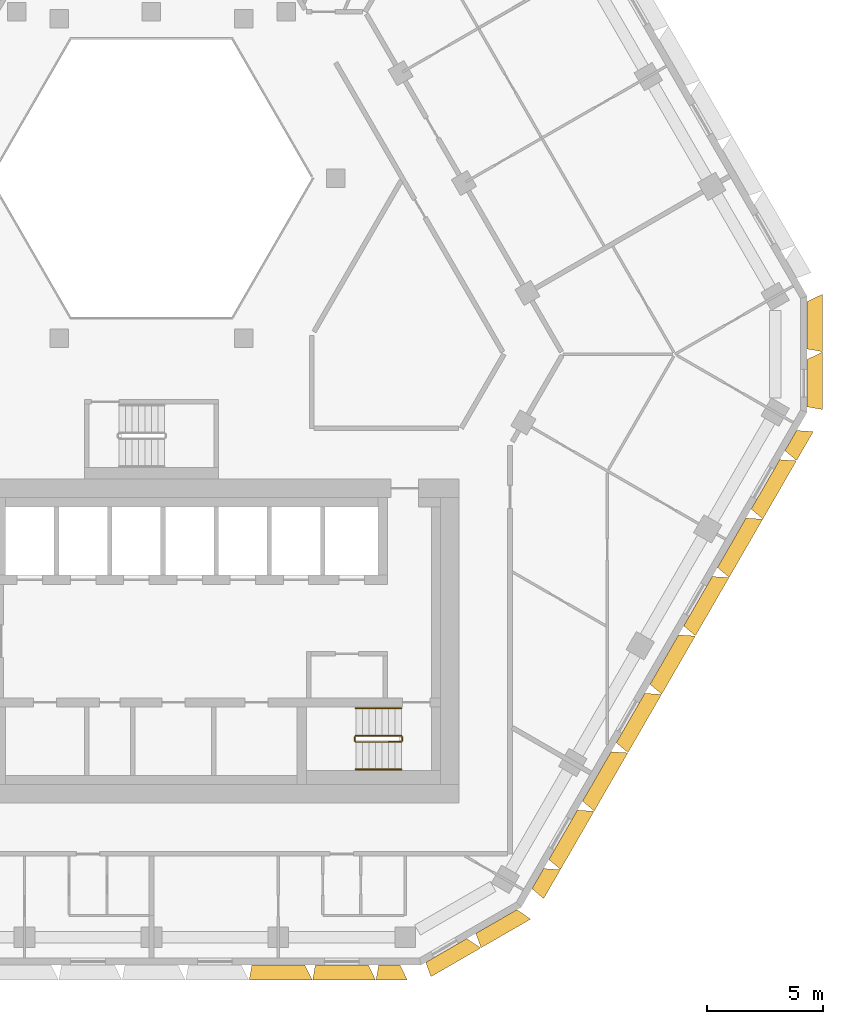
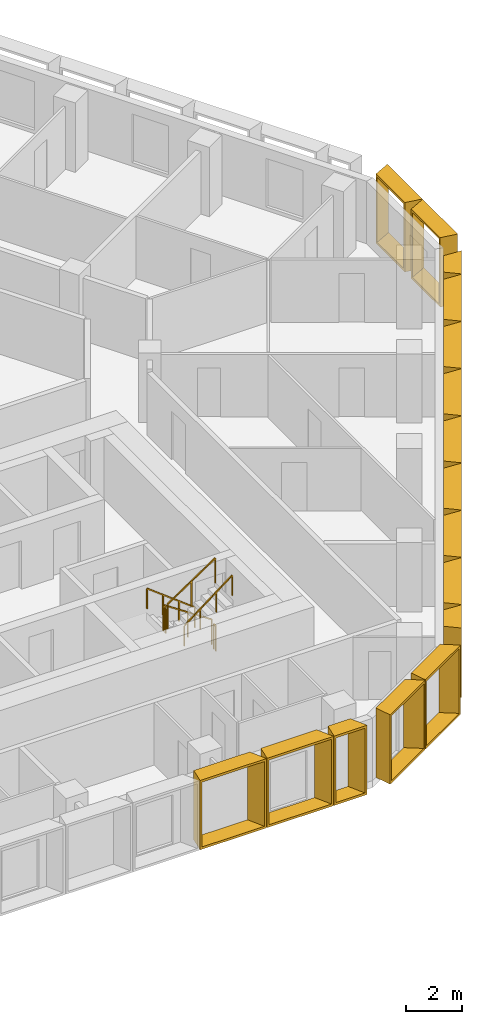
# One storey, part 14 of 15: 16 shading devices, 6 railings.
"""IFC4 building model written with IfcOpenShell, lengths in metres."""

import ifcopenshell
import ifcopenshell.guid

model = None  # the IFC model being written
_history = None  # IfcOwnerHistory: only IFC2X3 demands one
_inside = {}  # id of a spatial element -> (the spatial element, [elements in it])
_under = {}  # id of a project, library or spatial element -> (it, [spatial elements below it])
_declared = {}  # id of a project -> (the project, [libraries it declares])
_typed = {}  # id of a type object -> (the type object, [elements of that type])
_made_of = {}  # id of a material, layer set ... -> (it, [elements and type objects made of it])


def new_model(schema):
    """Start an empty IFC model of exactly this schema.

    Asked for "IFC4X3", IfcOpenShell would pick the latest addendum, in which some entities
    have other attributes; the version numbers below select the first issue.
    IFC2X3 requires an IfcOwnerHistory on every rooted entity: one is made here for all.
    """
    global model, _history
    if schema == "IFC4X3":
        model = ifcopenshell.file(schema_version=(4, 3, 0, 0))
    else:
        model = ifcopenshell.file(schema=schema)
    _inside.clear()
    _under.clear()
    _declared.clear()
    _typed.clear()
    _made_of.clear()
    _history = None
    if model.schema == "IFC2X3":
        org = make("IfcOrganization", Name="unknown")
        user = make(
            "IfcPersonAndOrganization",
            ThePerson=make("IfcPerson", FamilyName="unknown"),
            TheOrganization=org,
        )
        app = make(
            "IfcApplication",
            ApplicationDeveloper=org,
            Version="unknown",
            ApplicationFullName="unknown",
            ApplicationIdentifier="unknown",
        )
        _history = make(
            "IfcOwnerHistory",
            OwningUser=user,
            OwningApplication=app,
            ChangeAction="ADDED",
            CreationDate=0,
        )
    return model


def make(cls, **values):
    """One entity of the class cls with the attributes given. An attribute that is None is left unset."""
    return model.create_entity(
        cls, **{name: value for name, value in values.items() if value is not None}
    )


def entity(cls, *values):
    """Any entity or typed value of the class cls, its attributes in the order of the schema. None: left unset."""
    e = model.create_entity(cls)
    for i, value in enumerate(values):
        if value is not None:
            e[i] = value
    return e


def rooted(cls, **values):
    """An entity with a GlobalId (a new one), such as an element, a storey or a relation."""
    return make(cls, GlobalId=ifcopenshell.guid.new(), OwnerHistory=_history, **values)


def si_unit(unit_type, name, prefix=None):
    """IfcSIUnit, for example si_unit("LENGTHUNIT", "METRE", prefix="MILLI")."""
    return make("IfcSIUnit", UnitType=unit_type, Prefix=prefix, Name=name)


def assignment(units):
    """IfcUnitAssignment: the units of a project."""
    return None if units is None else make("IfcUnitAssignment", Units=units)


def point(xyz):
    """IfcCartesianPoint."""
    return None if xyz is None else make("IfcCartesianPoint", Coordinates=xyz)


def direction(xyz):
    """IfcDirection."""
    return None if xyz is None else make("IfcDirection", DirectionRatios=xyz)


def frame(location, z_axis=None, x_axis=None):
    """IfcAxis2Placement3D, a coordinate frame: its origin and axes. An axis left out is left unset."""
    return make(
        "IfcAxis2Placement3D",
        Location=point(location),
        Axis=direction(z_axis),
        RefDirection=direction(x_axis),
    )


def frame_2d(location, x_axis=None):
    """IfcAxis2Placement2D, a coordinate frame in the plane: its origin and x axis."""
    return make(
        "IfcAxis2Placement2D", Location=point(location), RefDirection=direction(x_axis)
    )


def origin():
    """The frame at (0, 0, 0) with its axes left unset."""
    return frame((0.0, 0.0, 0.0))


def origin_2d():
    """The frame at (0, 0) in the plane with its x axis left unset."""
    return frame_2d((0.0, 0.0))


def place(relative_to, where):
    """IfcLocalPlacement: puts the frame where relative to a parent placement (None: the world)."""
    return make(
        "IfcLocalPlacement", PlacementRelTo=relative_to, RelativePlacement=where
    )


def context(
    kind, dimensions, precision=None, world=None, true_north=None, identifier=None
):
    """IfcGeometricRepresentationContext, for example the 3D "Model" context."""
    return make(
        "IfcGeometricRepresentationContext",
        ContextIdentifier=identifier,
        ContextType=kind,
        CoordinateSpaceDimension=dimensions,
        Precision=precision,
        WorldCoordinateSystem=world,
        TrueNorth=true_north,
    )


def subcontext(parent, identifier, kind, view, scale=None):
    """IfcGeometricRepresentationSubContext, for example "Body" below "Model"."""
    return make(
        "IfcGeometricRepresentationSubContext",
        ContextIdentifier=identifier,
        ContextType=kind,
        ParentContext=parent,
        TargetScale=scale,
        TargetView=view,
    )


def project(units=None, contexts=None):
    """IfcProject with its units and contexts."""
    return rooted(
        "IfcProject",
        Name="project",
        RepresentationContexts=contexts,
        UnitsInContext=assignment(units),
    )


def spatial(cls, under=None, at=None, **own):
    """A site, building, storey or space (cls), placed at a placement, below another one or the project."""
    s = rooted(cls, ObjectPlacement=at, **own)
    if under is not None:
        _under.setdefault(under.id(), (under, []))[1].append(s)
    return s


def profile(cls, at=None, kind="AREA", **sizes):
    """A parametric profile (cls). Its sizes go by their IFC names, for example OverallWidth=200.0."""
    return make(cls, ProfileType=kind, Position=at, **sizes)


def rectangle(**sizes):
    """IfcRectangleProfileDef."""
    return profile("IfcRectangleProfileDef", **sizes)


def extrude(swept, where, along, depth):
    """IfcExtrudedAreaSolid: the profile swept, set in the frame where, extruded along a direction by depth."""
    return make(
        "IfcExtrudedAreaSolid",
        SweptArea=swept,
        Position=where,
        ExtrudedDirection=direction(along),
        Depth=depth,
    )


def shape(context_of_items, identifier, shape_type, items):
    """IfcShapeRepresentation: the items that make up one representation, for example the "Body"."""
    return make(
        "IfcShapeRepresentation",
        ContextOfItems=context_of_items,
        RepresentationIdentifier=identifier,
        RepresentationType=shape_type,
        Items=items,
    )


def source(mapping_origin, context_of_items, identifier, shape_type, items):
    """IfcRepresentationMap: a shape defined once, which mapped items show again and again."""
    return make(
        "IfcRepresentationMap",
        MappingOrigin=mapping_origin,
        MappedRepresentation=shape(context_of_items, identifier, shape_type, items),
    )


def transform(
    local_origin,
    x_axis=None,
    y_axis=None,
    z_axis=None,
    scale=None,
    scale2=None,
    scale3=None,
    uniform=True,
):
    """IfcCartesianTransformationOperator3D, or its non-uniform kind. x_axis, y_axis, z_axis: its Axis1, 2, 3."""
    if uniform:
        return make(
            "IfcCartesianTransformationOperator3D",
            Axis1=direction(x_axis),
            Axis2=direction(y_axis),
            LocalOrigin=point(local_origin),
            Scale=scale,
            Axis3=direction(z_axis),
        )
    return make(
        "IfcCartesianTransformationOperator3DnonUniform",
        Axis1=direction(x_axis),
        Axis2=direction(y_axis),
        LocalOrigin=point(local_origin),
        Scale=scale,
        Axis3=direction(z_axis),
        Scale2=scale2,
        Scale3=scale3,
    )


def mapped(mapping_source, mapping_target):
    """IfcMappedItem: shows the shape of a source again, moved by a transform."""
    return make(
        "IfcMappedItem", MappingSource=mapping_source, MappingTarget=mapping_target
    )


def material(Name=None, Category=None):
    """IfcMaterial."""
    return make("IfcMaterial", Name=Name, Category=Category)


def made_of(thing, what):
    """Note that an element or type object is made of a material, layer set ...; save() writes the relation."""
    if what is not None:
        _made_of.setdefault(what.id(), (what, []))[1].append(thing)
    return thing


def type_object(cls, material=None, **own):
    """A type object (cls), such as IfcWallType, which elements share."""
    return made_of(rooted(cls, **own), material)


def type_shapes(of_type, sources):
    """Give a type object the sources (RepresentationMaps) that its elements show as mapped items."""
    of_type.RepresentationMaps = sources


def element(
    cls,
    number,
    at=None,
    inside=None,
    cuts=None,
    type_object=None,
    material=None,
    context=None,
    identifier="Body",
    shape_type=None,
    held_by="IfcProductDefinitionShape",
    body=None,
    shapes=None,
    **own,
):
    """One element of the class cls, such as IfcWall. Its Tag is "e" and its number.

    at: its placement. inside: the storey or other place that contains it. cuts: it is an
    opening in that element (IfcRelVoidsElement). A single representation is given by context,
    identifier, shape_type and body (its items); several are given by shapes. held_by: the class
    of the entity that holds the representations. save() writes the other relations.
    """
    e = rooted(cls, Tag="e%d" % number, ObjectPlacement=at, **own)
    if body is not None:
        shapes = [shape(context, identifier, shape_type, body)]
    if shapes is not None:
        e.Representation = make(held_by, Representations=shapes)
    if inside is not None:
        _inside.setdefault(inside.id(), (inside, []))[1].append(e)
    if cuts is not None:
        rooted(
            "IfcRelVoidsElement", RelatingBuildingElement=cuts, RelatedOpeningElement=e
        )
    if type_object is not None:
        _typed.setdefault(type_object.id(), (type_object, []))[1].append(e)
    return made_of(e, material)


def aggregate(whole, parts):
    """IfcRelAggregates: a whole, such as a stair, and the parts it consists of."""
    return rooted("IfcRelAggregates", RelatingObject=whole, RelatedObjects=parts)


def save(model, path):
    """Write the relations noted so far, then the file.

    IfcRelAggregates (storeys below a building ...), IfcRelContainedInSpatialStructure (elements
    in a storey), IfcRelDefinesByType, IfcRelAssociatesMaterial and IfcRelDeclares: one each for
    every whole, place, type object, material and project.
    """
    for whole, parts in _under.values():
        aggregate(whole, parts)
    for where, things in _inside.values():
        rooted(
            "IfcRelContainedInSpatialStructure",
            RelatedElements=things,
            RelatingStructure=where,
        )
    for kind, things in _typed.values():
        rooted("IfcRelDefinesByType", RelatedObjects=things, RelatingType=kind)
    for what, things in _made_of.values():
        rooted("IfcRelAssociatesMaterial", RelatedObjects=things, RelatingMaterial=what)
    for by, libraries in _declared.values():
        rooted("IfcRelDeclares", RelatingContext=by, RelatedDefinitions=libraries)
    model.write(path)


model = new_model("IFC4")

# Units and contexts
model_context = context("Model", 3, precision=1e-05, world=origin(), true_north=direction((0.0, 1.0)))
body_context = subcontext(model_context, "Body", "Model", "MODEL_VIEW")
ifc_project = project(units=[si_unit("LENGTHUNIT", "METRE"), si_unit("AREAUNIT", "SQUARE_METRE"), si_unit("VOLUMEUNIT", "CUBIC_METRE"), si_unit("PLANEANGLEUNIT", "RADIAN"), si_unit("MASSUNIT", "GRAM", prefix="KILO")], contexts=[model_context])

# Site, building, storey
site_placement = place(None, origin())
site = spatial("IfcSite", under=ifc_project, at=site_placement, CompositionType="ELEMENT")
building_placement = place(site_placement, origin())
building = spatial("IfcBuilding", under=site, at=building_placement, Name="Beryl Residences", CompositionType="ELEMENT")
storey_placement = place(building_placement, frame((0.0, 0.0, 129.60009765625)))
storey = spatial("IfcBuildingStorey", under=building, at=storey_placement, Name="L39", CompositionType="ELEMENT", Elevation=129.60009765625)

# Shading devices
ifc_material_1 = material(Name="Aluminium pale anodised", Category="aluminium")
shading_device_type_1 = type_object("IfcShadingDeviceType", Name="FR137-65C OUTER SKIN frame 650 mm deep, splay 10/26 deg, 1370 x 3000 mm cell", PredefinedType="USERDEFINED", material=ifc_material_1)
cartesian_point_1 = entity("IfcCartesianPoint", [-0.458984375, 0.0])
cartesian_point_2 = entity("IfcCartesianPoint", [-0.377685546875, 0.10009765625])
cartesian_point_3 = entity("IfcCartesianPoint", [-0.57373046875, 0.0])
cartesian_point_4 = entity("IfcCartesianPoint", [-0.492431640625, 0.10009765625])
shared_shape_1 = source(origin(), body_context, "Body", "SweptSolid", [
    entity("IfcExtrudedAreaSolidTapered", entity("IfcArbitraryProfileDefWithVoids", "AREA", None, entity("IfcPolyline", [cartesian_point_1, entity("IfcCartesianPoint", [0.458984375, 0.0]), entity("IfcCartesianPoint", [0.458984375, 3.0]), entity("IfcCartesianPoint", [-0.458984375, 3.0]), cartesian_point_1]), [entity("IfcPolyline", [cartesian_point_2, entity("IfcCartesianPoint", [0.369873046875, 0.10009765625]), entity("IfcCartesianPoint", [0.369873046875, 2.89990234375]), entity("IfcCartesianPoint", [-0.377685546875, 2.89990234375]), cartesian_point_2])]), entity("IfcAxis2Placement3D", entity("IfcCartesianPoint", [0.0, 0.0, 0.0]), entity("IfcDirection", [0.0, 1.0, 0.0]), entity("IfcDirection", [-1.0, 0.0, 0.0])), entity("IfcDirection", [0.0, 0.0, 1.0]), 0.64990234375, entity("IfcArbitraryProfileDefWithVoids", "AREA", None, entity("IfcPolyline", [cartesian_point_3, entity("IfcCartesianPoint", [0.776123046875, 0.0]), entity("IfcCartesianPoint", [0.776123046875, 3.0]), entity("IfcCartesianPoint", [-0.57373046875, 3.0]), cartesian_point_3]), [entity("IfcPolyline", [cartesian_point_4, entity("IfcCartesianPoint", [0.68701171875, 0.10009765625]), entity("IfcCartesianPoint", [0.68701171875, 2.89990234375]), entity("IfcCartesianPoint", [-0.492431640625, 2.89990234375]), cartesian_point_4])])),
])
type_shapes(shading_device_type_1, [shared_shape_1])
shading_device_placement = place(storey_placement, frame((10.284912109375, -26.0, 0.0), z_axis=(0.0, 0.0, 1.0), x_axis=(-1.0, 0.0, 0.0)))
element("IfcShadingDevice", 1, at=shading_device_placement, inside=storey, type_object=shading_device_type_1, Name="FR137-65C frame L39 S 9", ObjectType="OUTER SKIN", PredefinedType="USERDEFINED", context=body_context, shape_type="MappedRepresentation", body=[
    mapped(shared_shape_1, transform((0.0, 0.0, 0.0))),
])
ifc_material_2 = material(Name="Aluminium pale anodised", Category="aluminium")
shading_device_type_2 = type_object("IfcShadingDeviceType", Name="FR146-65C OUTER SKIN frame 650 mm deep, splay 10/26 deg, 1460 x 3000 mm cell", PredefinedType="USERDEFINED", material=ifc_material_2)
cartesian_point_5 = entity("IfcCartesianPoint", [-0.50390625, 0.0])
cartesian_point_6 = entity("IfcCartesianPoint", [-0.4228515625, 0.10009765625])
cartesian_point_7 = entity("IfcCartesianPoint", [-0.61865234375, 0.0])
cartesian_point_8 = entity("IfcCartesianPoint", [-0.537353515625, 0.10009765625])
shared_shape_2 = source(origin(), body_context, "Body", "SweptSolid", [
    entity("IfcExtrudedAreaSolidTapered", entity("IfcArbitraryProfileDefWithVoids", "AREA", None, entity("IfcPolyline", [cartesian_point_5, entity("IfcCartesianPoint", [0.50390625, 0.0]), entity("IfcCartesianPoint", [0.50390625, 3.0]), entity("IfcCartesianPoint", [-0.50390625, 3.0]), cartesian_point_5]), [entity("IfcPolyline", [cartesian_point_6, entity("IfcCartesianPoint", [0.4150390625, 0.10009765625]), entity("IfcCartesianPoint", [0.4150390625, 2.89990234375]), entity("IfcCartesianPoint", [-0.4228515625, 2.89990234375]), cartesian_point_6])]), entity("IfcAxis2Placement3D", entity("IfcCartesianPoint", [0.0, 0.0, 0.0]), entity("IfcDirection", [0.0, 1.0, 0.0]), entity("IfcDirection", [-1.0, 0.0, 0.0])), entity("IfcDirection", [0.0, 0.0, 1.0]), 0.64990234375, entity("IfcArbitraryProfileDefWithVoids", "AREA", None, entity("IfcPolyline", [cartesian_point_7, entity("IfcCartesianPoint", [0.821044921875, 0.0]), entity("IfcCartesianPoint", [0.821044921875, 3.0]), entity("IfcCartesianPoint", [-0.61865234375, 3.0]), cartesian_point_7]), [entity("IfcPolyline", [cartesian_point_8, entity("IfcCartesianPoint", [0.73193359375, 0.10009765625]), entity("IfcCartesianPoint", [0.73193359375, 2.89990234375]), entity("IfcCartesianPoint", [-0.537353515625, 2.89990234375]), cartesian_point_8])])),
])
type_shapes(shading_device_type_2, [shared_shape_2])
for number, where, z_axis, x_axis, name in (
    (2, (16.702880859375, -22.26904296875, 0.0), (0.0, 0.0, 1.0), (-0.5, -0.866025403784, 0.0), "FR146-65C frame L39 SE 1"),
    (3, (27.635986328125, -3.33203125, 0.0), (0.0, 0.0, 1.0), (-0.5, -0.866025403784, 0.0), "FR146-65C frame L39 SE 9"),
):
    element("IfcShadingDevice", number, at=place(storey_placement, frame(where, z_axis=z_axis, x_axis=x_axis)), inside=storey, type_object=shading_device_type_2, Name=name, ObjectType="OUTER SKIN", PredefinedType="USERDEFINED", context=body_context, shape_type="MappedRepresentation", body=[
        mapped(shared_shape_2, transform((0.0, 0.0, 0.0))),
    ])
ifc_material_3 = material(Name="Aluminium pale anodised", Category="aluminium")
shading_device_type_3 = type_object("IfcShadingDeviceType", Name="FR250-65C OUTER SKIN frame 650 mm deep, splay 10/26 deg, 2500 x 3000 mm cell", PredefinedType="USERDEFINED", material=ifc_material_3)
cartesian_point_9 = entity("IfcCartesianPoint", [-1.02392578125, 0.0])
cartesian_point_10 = entity("IfcCartesianPoint", [-0.94287109375, 0.10009765625])
cartesian_point_11 = entity("IfcCartesianPoint", [-1.138671875, 0.0])
cartesian_point_12 = entity("IfcCartesianPoint", [-1.057373046875, 0.10009765625])
shared_shape_3 = source(origin(), body_context, "Body", "SweptSolid", [
    entity("IfcExtrudedAreaSolidTapered", entity("IfcArbitraryProfileDefWithVoids", "AREA", None, entity("IfcPolyline", [cartesian_point_9, entity("IfcCartesianPoint", [1.02392578125, 0.0]), entity("IfcCartesianPoint", [1.02392578125, 3.0]), entity("IfcCartesianPoint", [-1.02392578125, 3.0]), cartesian_point_9]), [entity("IfcPolyline", [cartesian_point_10, entity("IfcCartesianPoint", [0.93505859375, 0.10009765625]), entity("IfcCartesianPoint", [0.93505859375, 2.89990234375]), entity("IfcCartesianPoint", [-0.94287109375, 2.89990234375]), cartesian_point_10])]), entity("IfcAxis2Placement3D", entity("IfcCartesianPoint", [0.0, 0.0, 0.0]), entity("IfcDirection", [0.0, 1.0, 0.0]), entity("IfcDirection", [-1.0, 0.0, 0.0])), entity("IfcDirection", [0.0, 0.0, 1.0]), 0.64990234375, entity("IfcArbitraryProfileDefWithVoids", "AREA", None, entity("IfcPolyline", [cartesian_point_11, entity("IfcCartesianPoint", [1.341064453125, 0.0]), entity("IfcCartesianPoint", [1.341064453125, 3.0]), entity("IfcCartesianPoint", [-1.138671875, 3.0]), cartesian_point_11]), [entity("IfcPolyline", [cartesian_point_12, entity("IfcCartesianPoint", [1.251953125, 0.10009765625]), entity("IfcCartesianPoint", [1.251953125, 2.89990234375]), entity("IfcCartesianPoint", [-1.057373046875, 2.89990234375]), cartesian_point_12])])),
])
type_shapes(shading_device_type_3, [shared_shape_3])
for number, where, z_axis, x_axis, name in (
    (4, (12.7451171875, -25.375, 0.0), (0.0, 0.0, 1.0), (-0.866025403784, -0.5, 0.0), "FR250-65C frame L39 S-SE 1"),
    (5, (14.909912109375, -24.125, 0.0), (0.0, 0.0, 1.0), (-0.866025403784, -0.5, 0.0), "FR250-65C frame L39 S-SE 2"),
    (6, (28.347900390625, -0.85009765625, 0.0), (0.0, 0.0, 1.0), (0.0, -1.0, 0.0), "FR250-65C frame L39 SE-NE 1"),
    (7, (28.347900390625, 1.64990234375, 0.0), (0.0, 0.0, 1.0), (0.0, -1.0, 0.0), "FR250-65C frame L39 SE-NE 2"),
):
    element("IfcShadingDevice", number, at=place(storey_placement, frame(where, z_axis=z_axis, x_axis=x_axis)), inside=storey, type_object=shading_device_type_3, Name=name, ObjectType="OUTER SKIN", PredefinedType="USERDEFINED", context=body_context, shape_type="MappedRepresentation", body=[
        mapped(shared_shape_3, transform((0.0, 0.0, 0.0))),
    ])
ifc_material_4 = material(Name="Aluminium pale anodised", Category="aluminium")
shading_device_type_4 = type_object("IfcShadingDeviceType", Name="FR274-65C OUTER SKIN frame 650 mm deep, splay 10/26 deg, 2740 x 3000 mm cell", PredefinedType="USERDEFINED", material=ifc_material_4)
cartesian_point_13 = entity("IfcCartesianPoint", [-1.14404296875, 0.0])
cartesian_point_14 = entity("IfcCartesianPoint", [-1.062744140625, 0.10009765625])
cartesian_point_15 = entity("IfcCartesianPoint", [-1.258544921875, 0.0])
cartesian_point_16 = entity("IfcCartesianPoint", [-1.177490234375, 0.10009765625])
shared_shape_4 = source(origin(), body_context, "Body", "SweptSolid", [
    entity("IfcExtrudedAreaSolidTapered", entity("IfcArbitraryProfileDefWithVoids", "AREA", None, entity("IfcPolyline", [cartesian_point_13, entity("IfcCartesianPoint", [1.14404296875, 0.0]), entity("IfcCartesianPoint", [1.14404296875, 3.0]), entity("IfcCartesianPoint", [-1.14404296875, 3.0]), cartesian_point_13]), [entity("IfcPolyline", [cartesian_point_14, entity("IfcCartesianPoint", [1.054931640625, 0.10009765625]), entity("IfcCartesianPoint", [1.054931640625, 2.89990234375]), entity("IfcCartesianPoint", [-1.062744140625, 2.89990234375]), cartesian_point_14])]), entity("IfcAxis2Placement3D", entity("IfcCartesianPoint", [0.0, 0.0, 0.0]), entity("IfcDirection", [0.0, 1.0, 0.0]), entity("IfcDirection", [-1.0, 0.0, 0.0])), entity("IfcDirection", [0.0, 0.0, 1.0]), 0.64990234375, entity("IfcArbitraryProfileDefWithVoids", "AREA", None, entity("IfcPolyline", [cartesian_point_15, entity("IfcCartesianPoint", [1.4609375, 0.0]), entity("IfcCartesianPoint", [1.4609375, 3.0]), entity("IfcCartesianPoint", [-1.258544921875, 3.0]), cartesian_point_15]), [entity("IfcPolyline", [cartesian_point_16, entity("IfcCartesianPoint", [1.3720703125, 0.10009765625]), entity("IfcCartesianPoint", [1.3720703125, 2.89990234375]), entity("IfcCartesianPoint", [-1.177490234375, 2.89990234375]), cartesian_point_16])])),
])
type_shapes(shading_device_type_4, [shared_shape_4])
for number, where, z_axis, x_axis, name in (
    (8, (5.486083984375, -26.0, 0.0), (0.0, 0.0, 1.0), (-1.0, 0.0, 0.0), "FR274-65C frame L39 S 7"),
    (9, (8.22900390625, -26.0, 0.0), (0.0, 0.0, 1.0), (-1.0, 0.0, 0.0), "FR274-65C frame L39 S 8"),
):
    element("IfcShadingDevice", number, at=place(storey_placement, frame(where, z_axis=z_axis, x_axis=x_axis)), inside=storey, type_object=shading_device_type_4, Name=name, ObjectType="OUTER SKIN", PredefinedType="USERDEFINED", context=body_context, shape_type="MappedRepresentation", body=[
        mapped(shared_shape_4, transform((0.0, 0.0, 0.0))),
    ])
ifc_material_5 = material(Name="Aluminium pale anodised", Category="aluminium")
shading_device_type_5 = type_object("IfcShadingDeviceType", Name="FR292-65C OUTER SKIN frame 650 mm deep, splay 10/26 deg, 2920 x 3000 mm cell", PredefinedType="USERDEFINED", material=ifc_material_5)
cartesian_point_17 = entity("IfcCartesianPoint", [-1.23388671875, 0.0])
cartesian_point_18 = entity("IfcCartesianPoint", [-1.15283203125, 0.10009765625])
cartesian_point_19 = entity("IfcCartesianPoint", [-1.3486328125, 0.0])
cartesian_point_20 = entity("IfcCartesianPoint", [-1.267333984375, 0.10009765625])
shared_shape_5 = source(origin(), body_context, "Body", "SweptSolid", [
    entity("IfcExtrudedAreaSolidTapered", entity("IfcArbitraryProfileDefWithVoids", "AREA", None, entity("IfcPolyline", [cartesian_point_17, entity("IfcCartesianPoint", [1.23388671875, 0.0]), entity("IfcCartesianPoint", [1.23388671875, 3.0]), entity("IfcCartesianPoint", [-1.23388671875, 3.0]), cartesian_point_17]), [entity("IfcPolyline", [cartesian_point_18, entity("IfcCartesianPoint", [1.14501953125, 0.10009765625]), entity("IfcCartesianPoint", [1.14501953125, 2.89990234375]), entity("IfcCartesianPoint", [-1.15283203125, 2.89990234375]), cartesian_point_18])]), entity("IfcAxis2Placement3D", entity("IfcCartesianPoint", [0.0, 0.0, 0.0]), entity("IfcDirection", [0.0, 1.0, 0.0]), entity("IfcDirection", [-1.0, 0.0, 0.0])), entity("IfcDirection", [0.0, 0.0, 1.0]), 0.64990234375, entity("IfcArbitraryProfileDefWithVoids", "AREA", None, entity("IfcPolyline", [cartesian_point_19, entity("IfcCartesianPoint", [1.551025390625, 0.0]), entity("IfcCartesianPoint", [1.551025390625, 3.0]), entity("IfcCartesianPoint", [-1.3486328125, 3.0]), cartesian_point_19]), [entity("IfcPolyline", [cartesian_point_20, entity("IfcCartesianPoint", [1.4619140625, 0.10009765625]), entity("IfcCartesianPoint", [1.4619140625, 2.89990234375]), entity("IfcCartesianPoint", [-1.267333984375, 2.89990234375]), cartesian_point_20])])),
])
type_shapes(shading_device_type_5, [shared_shape_5])
for number, where, z_axis, x_axis, name in (
    (10, (17.7958984375, -20.3759765625, 0.0), (0.0, 0.0, 1.0), (-0.5, -0.866025403784, 0.0), "FR292-65C frame L39 SE 2"),
    (11, (19.25390625, -17.85107421875, 0.0), (0.0, 0.0, 1.0), (-0.5, -0.866025403784, 0.0), "FR292-65C frame L39 SE 3"),
    (12, (20.7119140625, -15.325927734375, 0.0), (0.0, 0.0, 1.0), (-0.5, -0.866025403784, 0.0), "FR292-65C frame L39 SE 4"),
    (13, (22.169921875, -12.801025390625, 0.0), (0.0, 0.0, 1.0), (-0.5, -0.866025403784, 0.0), "FR292-65C frame L39 SE 5"),
    (14, (23.626953125, -10.27587890625, 0.0), (0.0, 0.0, 1.0), (-0.5, -0.866025403784, 0.0), "FR292-65C frame L39 SE 6"),
    (15, (25.0849609375, -7.7509765625, 0.0), (0.0, 0.0, 1.0), (-0.5, -0.866025403784, 0.0), "FR292-65C frame L39 SE 7"),
    (16, (26.54296875, -5.22607421875, 0.0), (0.0, 0.0, 1.0), (-0.5, -0.866025403784, 0.0), "FR292-65C frame L39 SE 8"),
):
    element("IfcShadingDevice", number, at=place(storey_placement, frame(where, z_axis=z_axis, x_axis=x_axis)), inside=storey, type_object=shading_device_type_5, Name=name, ObjectType="OUTER SKIN", PredefinedType="USERDEFINED", context=body_context, shape_type="MappedRepresentation", body=[
        mapped(shared_shape_5, transform((0.0, 0.0, 0.0))),
    ])

# Railings
ifc_material_6 = material(Name="Stainless steel balustrade with glass infill", Category="steel")
railing_type_1 = type_object("IfcRailingType", Name="SG1 stair guard 1100 mm", PredefinedType="GUARDRAIL", material=ifc_material_6)
railing_1_placement = place(storey_placement, frame((10.800048828125, -16.10009765625, 0.1875)))
element("IfcRailing", 17, at=railing_1_placement, inside=storey, type_object=railing_type_1, Name="L39 ST-3 stair guard 1", PredefinedType="GUARDRAIL", context=body_context, shape_type="SweptSolid", body=[
    extrude(rectangle(XDim=0.048095703125, YDim=0.048095703125, at=origin_2d()), frame((0.0, 0.0, 1.076171875), z_axis=(-0.830902050051, 0.0, 0.556418712142), x_axis=(0.0, -1.0, 0.0)), (0.0, 0.0, 1.0), 2.35888671875),
    extrude(rectangle(XDim=0.0419921875, YDim=0.0419921875, at=origin_2d()), origin(), (0.0, 0.0, 1.0), 1.052001953125),
    extrude(rectangle(XDim=0.0419921875, YDim=0.0419921875, at=origin_2d()), frame((-0.97998046875, 0.0, 0.65625)), (0.0, 0.0, 1.0), 1.052001953125),
    extrude(rectangle(XDim=0.0419921875, YDim=0.0419921875, at=origin_2d()), frame((-1.9599609375, 0.0, 1.3125)), (0.0, 0.0, 1.0), 1.052001953125),
])
railing_2_placement = place(storey_placement, frame((8.7900390625, -16.14990234375, 1.5)))
element("IfcRailing", 18, at=railing_2_placement, inside=storey, type_object=railing_type_1, Name="L39 ST-3 stair guard 2", PredefinedType="GUARDRAIL", context=body_context, shape_type="SweptSolid", body=[
    extrude(rectangle(XDim=0.048095703125, YDim=0.048095703125, at=origin_2d()), frame((0.0, 0.0, 1.076171875), z_axis=(0.0, -1.0, 0.0), x_axis=(1.0, 0.0, 0.0)), (0.0, 0.0, 1.0), 0.150146484375),
    extrude(rectangle(XDim=0.0419921875, YDim=0.0419921875, at=origin_2d()), origin(), (0.0, 0.0, 1.0), 1.052001953125),
    extrude(rectangle(XDim=0.0419921875, YDim=0.0419921875, at=origin_2d()), frame((0.0, -0.150146484375, 0.0)), (0.0, 0.0, 1.0), 1.052001953125),
])
railing_3_placement = place(storey_placement, frame((8.840087890625, -16.35009765625, 1.6875)))
element("IfcRailing", 19, at=railing_3_placement, inside=storey, type_object=railing_type_1, Name="L39 ST-3 stair guard 3", PredefinedType="GUARDRAIL", context=body_context, shape_type="SweptSolid", body=[
    extrude(rectangle(XDim=0.048095703125, YDim=0.048095703125, at=origin_2d()), frame((0.0, 0.0, 1.076171875), z_axis=(0.830902050051, 0.0, 0.556418712142), x_axis=(0.0, 1.0, 0.0)), (0.0, 0.0, 1.0), 2.35888671875),
    extrude(rectangle(XDim=0.0419921875, YDim=0.0419921875, at=origin_2d()), origin(), (0.0, 0.0, 1.0), 1.052001953125),
    extrude(rectangle(XDim=0.0419921875, YDim=0.0419921875, at=origin_2d()), frame((0.97998046875, 0.0, 0.65625)), (0.0, 0.0, 1.0), 1.052001953125),
    extrude(rectangle(XDim=0.0419921875, YDim=0.0419921875, at=origin_2d()), frame((1.9599609375, 0.0, 1.3125)), (0.0, 0.0, 1.0), 1.052001953125),
])
railing_4_placement = place(storey_placement, frame((10.85009765625, -16.14990234375, 0.0)))
element("IfcRailing", 20, at=railing_4_placement, inside=storey, type_object=railing_type_1, Name="L39 ST-3 stair guard 4", PredefinedType="GUARDRAIL", context=body_context, shape_type="SweptSolid", body=[
    extrude(rectangle(XDim=0.048095703125, YDim=0.048095703125, at=origin_2d()), frame((0.0, 0.0, 1.076171875), z_axis=(0.0, -1.0, 0.0), x_axis=(1.0, 0.0, 0.0)), (0.0, 0.0, 1.0), 0.150146484375),
    extrude(rectangle(XDim=0.0419921875, YDim=0.0419921875, at=origin_2d()), origin(), (0.0, 0.0, 1.0), 1.052001953125),
    extrude(rectangle(XDim=0.0419921875, YDim=0.0419921875, at=origin_2d()), frame((0.0, -0.150146484375, 0.0)), (0.0, 0.0, 1.0), 1.052001953125),
])
ifc_material_7 = material(Name="Stainless steel handrail", Category="steel")
railing_type_2 = type_object("IfcRailingType", Name="SRL1 stair handrail 900 mm", PredefinedType="HANDRAIL", material=ifc_material_7)
railing_5_placement = place(storey_placement, frame((10.800048828125, -14.89990234375, 0.1875)))
element("IfcRailing", 21, at=railing_5_placement, inside=storey, type_object=railing_type_2, Name="L39 ST-3 stair handrail 1", PredefinedType="HANDRAIL", context=body_context, shape_type="SweptSolid", body=[
    extrude(rectangle(XDim=0.048095703125, YDim=0.048095703125, at=origin_2d()), frame((0.0, 0.0, 0.8759765625), z_axis=(-0.794121922505, 0.0, 0.607758481798), x_axis=(0.0, -1.0, 0.0)), (0.0, 0.0, 1.0), 2.468017578125),
    extrude(rectangle(XDim=0.0419921875, YDim=0.0419921875, at=origin_2d()), origin(), (0.0, 0.0, 1.0), 0.851806640625),
    extrude(rectangle(XDim=0.0419921875, YDim=0.0419921875, at=origin_2d()), frame((-0.6533203125, 0.0, 0.5)), (0.0, 0.0, 1.0), 0.851806640625),
    extrude(rectangle(XDim=0.0419921875, YDim=0.0419921875, at=origin_2d()), frame((-1.306640625, 0.0, 1.0)), (0.0, 0.0, 1.0), 0.851806640625),
    extrude(rectangle(XDim=0.0419921875, YDim=0.0419921875, at=origin_2d()), frame((-1.9599609375, 0.0, 1.5)), (0.0, 0.0, 1.0), 0.851806640625),
])
railing_6_placement = place(storey_placement, frame((8.840087890625, -17.550048828125, 1.6875)))
element("IfcRailing", 22, at=railing_6_placement, inside=storey, type_object=railing_type_2, Name="L39 ST-3 stair handrail 2", PredefinedType="HANDRAIL", context=body_context, shape_type="SweptSolid", body=[
    extrude(rectangle(XDim=0.048095703125, YDim=0.048095703125, at=origin_2d()), frame((0.0, 0.0, 0.8759765625), z_axis=(0.794121922505, 0.0, 0.607758481798), x_axis=(0.0, 1.0, 0.0)), (0.0, 0.0, 1.0), 2.468017578125),
    extrude(rectangle(XDim=0.0419921875, YDim=0.0419921875, at=origin_2d()), origin(), (0.0, 0.0, 1.0), 0.851806640625),
    extrude(rectangle(XDim=0.0419921875, YDim=0.0419921875, at=origin_2d()), frame((0.6533203125, 0.0, 0.5)), (0.0, 0.0, 1.0), 0.851806640625),
    extrude(rectangle(XDim=0.0419921875, YDim=0.0419921875, at=origin_2d()), frame((1.306640625, 0.0, 1.0)), (0.0, 0.0, 1.0), 0.851806640625),
    extrude(rectangle(XDim=0.0419921875, YDim=0.0419921875, at=origin_2d()), frame((1.9599609375, 0.0, 1.5)), (0.0, 0.0, 1.0), 0.851806640625),
])

save(model, "model.ifc")
